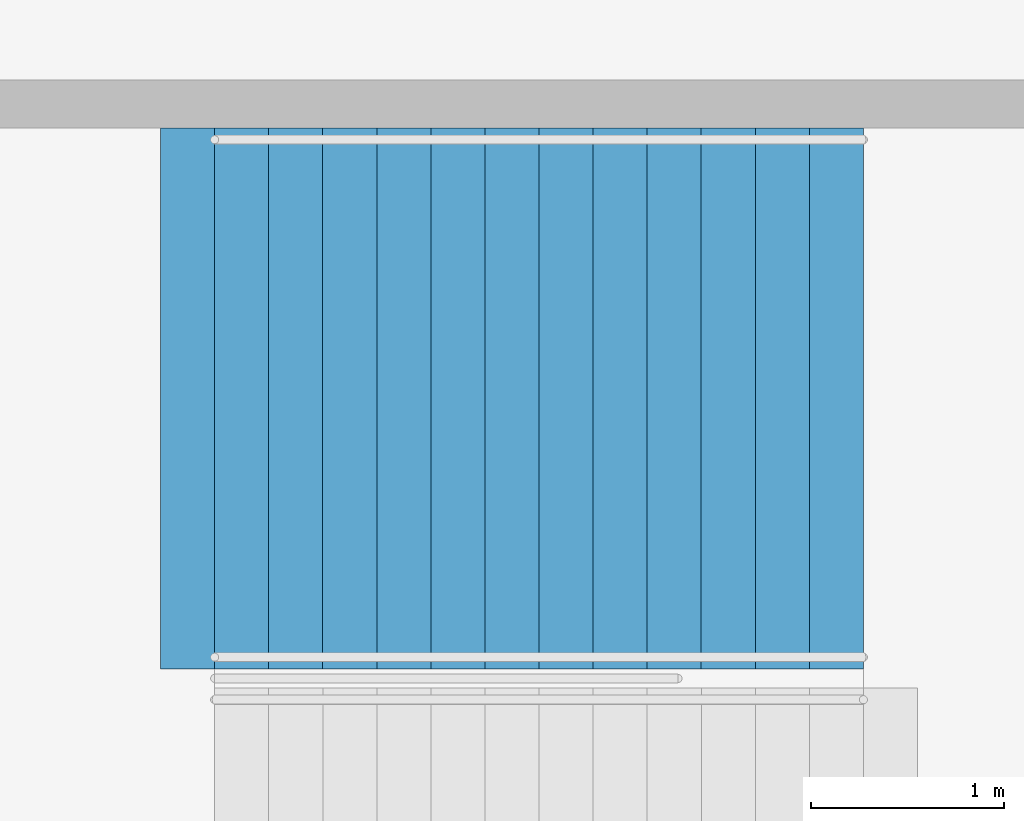
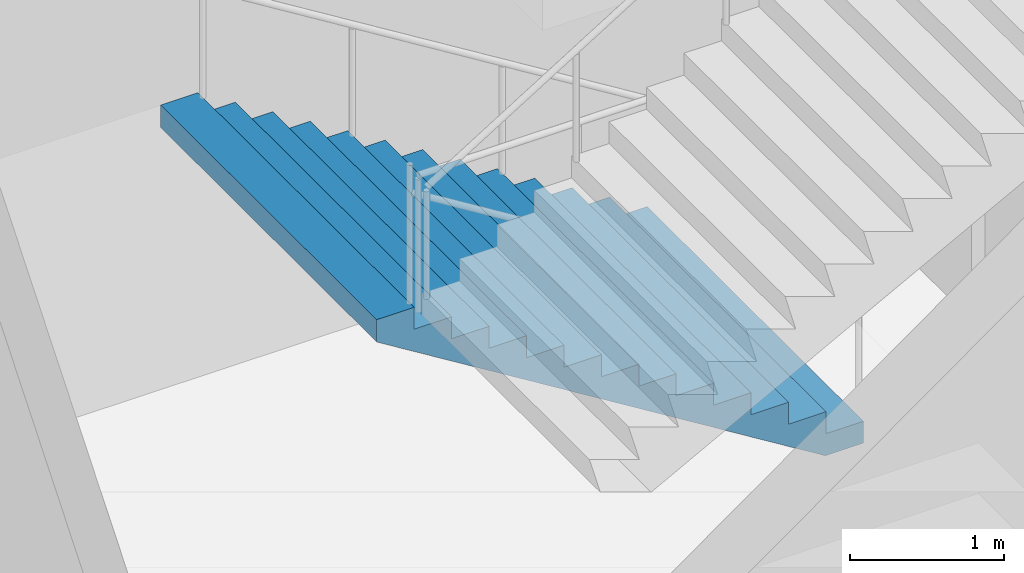
# One storey, part 82 of 175: 1 stair flight, 1 element without a shape of its own.
"""IFC4 building model written with IfcOpenShell, lengths in metres."""

import ifcopenshell
import ifcopenshell.guid

model = None  # the IFC model being written
_history = None  # IfcOwnerHistory: only IFC2X3 demands one
_inside = {}  # id of a spatial element -> (the spatial element, [elements in it])
_under = {}  # id of a project, library or spatial element -> (it, [spatial elements below it])
_declared = {}  # id of a project -> (the project, [libraries it declares])
_typed = {}  # id of a type object -> (the type object, [elements of that type])
_made_of = {}  # id of a material, layer set ... -> (it, [elements and type objects made of it])


def new_model(schema):
    """Start an empty IFC model of exactly this schema.

    Asked for "IFC4X3", IfcOpenShell would pick the latest addendum, in which some entities
    have other attributes; the version numbers below select the first issue.
    IFC2X3 requires an IfcOwnerHistory on every rooted entity: one is made here for all.
    """
    global model, _history
    if schema == "IFC4X3":
        model = ifcopenshell.file(schema_version=(4, 3, 0, 0))
    else:
        model = ifcopenshell.file(schema=schema)
    _inside.clear()
    _under.clear()
    _declared.clear()
    _typed.clear()
    _made_of.clear()
    _history = None
    if model.schema == "IFC2X3":
        org = make("IfcOrganization", Name="unknown")
        user = make(
            "IfcPersonAndOrganization",
            ThePerson=make("IfcPerson", FamilyName="unknown"),
            TheOrganization=org,
        )
        app = make(
            "IfcApplication",
            ApplicationDeveloper=org,
            Version="unknown",
            ApplicationFullName="unknown",
            ApplicationIdentifier="unknown",
        )
        _history = make(
            "IfcOwnerHistory",
            OwningUser=user,
            OwningApplication=app,
            ChangeAction="ADDED",
            CreationDate=0,
        )
    return model


def make(cls, **values):
    """One entity of the class cls with the attributes given. An attribute that is None is left unset."""
    return model.create_entity(
        cls, **{name: value for name, value in values.items() if value is not None}
    )


def rooted(cls, **values):
    """An entity with a GlobalId (a new one), such as an element, a storey or a relation."""
    return make(cls, GlobalId=ifcopenshell.guid.new(), OwnerHistory=_history, **values)


def si_unit(unit_type, name, prefix=None):
    """IfcSIUnit, for example si_unit("LENGTHUNIT", "METRE", prefix="MILLI")."""
    return make("IfcSIUnit", UnitType=unit_type, Prefix=prefix, Name=name)


def assignment(units):
    """IfcUnitAssignment: the units of a project."""
    return None if units is None else make("IfcUnitAssignment", Units=units)


def point(xyz):
    """IfcCartesianPoint."""
    return None if xyz is None else make("IfcCartesianPoint", Coordinates=xyz)


def direction(xyz):
    """IfcDirection."""
    return None if xyz is None else make("IfcDirection", DirectionRatios=xyz)


def frame(location, z_axis=None, x_axis=None):
    """IfcAxis2Placement3D, a coordinate frame: its origin and axes. An axis left out is left unset."""
    return make(
        "IfcAxis2Placement3D",
        Location=point(location),
        Axis=direction(z_axis),
        RefDirection=direction(x_axis),
    )


def origin():
    """The frame at (0, 0, 0) with its axes left unset."""
    return frame((0.0, 0.0, 0.0))


def place(relative_to, where):
    """IfcLocalPlacement: puts the frame where relative to a parent placement (None: the world)."""
    return make(
        "IfcLocalPlacement", PlacementRelTo=relative_to, RelativePlacement=where
    )


def context(
    kind, dimensions, precision=None, world=None, true_north=None, identifier=None
):
    """IfcGeometricRepresentationContext, for example the 3D "Model" context."""
    return make(
        "IfcGeometricRepresentationContext",
        ContextIdentifier=identifier,
        ContextType=kind,
        CoordinateSpaceDimension=dimensions,
        Precision=precision,
        WorldCoordinateSystem=world,
        TrueNorth=true_north,
    )


def subcontext(parent, identifier, kind, view, scale=None):
    """IfcGeometricRepresentationSubContext, for example "Body" below "Model"."""
    return make(
        "IfcGeometricRepresentationSubContext",
        ContextIdentifier=identifier,
        ContextType=kind,
        ParentContext=parent,
        TargetScale=scale,
        TargetView=view,
    )


def project(units=None, contexts=None):
    """IfcProject with its units and contexts."""
    return rooted(
        "IfcProject",
        Name="project",
        RepresentationContexts=contexts,
        UnitsInContext=assignment(units),
    )


def spatial(cls, under=None, at=None, **own):
    """A site, building, storey or space (cls), placed at a placement, below another one or the project."""
    s = rooted(cls, ObjectPlacement=at, **own)
    if under is not None:
        _under.setdefault(under.id(), (under, []))[1].append(s)
    return s


def faces_of(points, faces, orient=None, outer=None):
    """IfcFace entities. A face is a list of loops; a loop is a list of indices into points, from 0.

    orient and outer hold one flag for each loop. By default every Orientation is true, the
    first loop of a face is its IfcFaceOuterBound and the others are IfcFaceBound.
    """
    made = []
    for i, loops in enumerate(faces):
        bounds = []
        for j, loop in enumerate(loops):
            is_outer = j == 0 if outer is None else outer[i][j]
            bounds.append(
                make(
                    "IfcFaceOuterBound" if is_outer else "IfcFaceBound",
                    Bound=make("IfcPolyLoop", Polygon=[points[k] for k in loop]),
                    Orientation=True if orient is None else orient[i][j],
                )
            )
        made.append(make("IfcFace", Bounds=bounds))
    return made


def faceted_brep(points, faces, orient=None, outer=None, voids=None):
    """IfcFacetedBrep: a solid bounded by flat faces; with voids (closed shells), ...WithVoids."""
    shared = [point(p) for p in points]
    hull = make("IfcClosedShell", CfsFaces=faces_of(shared, faces, orient, outer))
    if voids is None:
        return make("IfcFacetedBrep", Outer=hull)
    return make(
        "IfcFacetedBrepWithVoids",
        Outer=hull,
        Voids=[
            make(cls, CfsFaces=faces_of(shared, fs, o, b)) for cls, fs, o, b in voids
        ],
    )


def shape(context_of_items, identifier, shape_type, items):
    """IfcShapeRepresentation: the items that make up one representation, for example the "Body"."""
    return make(
        "IfcShapeRepresentation",
        ContextOfItems=context_of_items,
        RepresentationIdentifier=identifier,
        RepresentationType=shape_type,
        Items=items,
    )


def material(Name=None, Category=None):
    """IfcMaterial."""
    return make("IfcMaterial", Name=Name, Category=Category)


def made_of(thing, what):
    """Note that an element or type object is made of a material, layer set ...; save() writes the relation."""
    if what is not None:
        _made_of.setdefault(what.id(), (what, []))[1].append(thing)
    return thing


def type_object(cls, material=None, **own):
    """A type object (cls), such as IfcWallType, which elements share."""
    return made_of(rooted(cls, **own), material)


def element(
    cls,
    number,
    at=None,
    inside=None,
    cuts=None,
    type_object=None,
    material=None,
    context=None,
    identifier="Body",
    shape_type=None,
    held_by="IfcProductDefinitionShape",
    body=None,
    shapes=None,
    **own,
):
    """One element of the class cls, such as IfcWall. Its Tag is "e" and its number.

    at: its placement. inside: the storey or other place that contains it. cuts: it is an
    opening in that element (IfcRelVoidsElement). A single representation is given by context,
    identifier, shape_type and body (its items); several are given by shapes. held_by: the class
    of the entity that holds the representations. save() writes the other relations.
    """
    e = rooted(cls, Tag="e%d" % number, ObjectPlacement=at, **own)
    if body is not None:
        shapes = [shape(context, identifier, shape_type, body)]
    if shapes is not None:
        e.Representation = make(held_by, Representations=shapes)
    if inside is not None:
        _inside.setdefault(inside.id(), (inside, []))[1].append(e)
    if cuts is not None:
        rooted(
            "IfcRelVoidsElement", RelatingBuildingElement=cuts, RelatedOpeningElement=e
        )
    if type_object is not None:
        _typed.setdefault(type_object.id(), (type_object, []))[1].append(e)
    return made_of(e, material)


def aggregate(whole, parts):
    """IfcRelAggregates: a whole, such as a stair, and the parts it consists of."""
    return rooted("IfcRelAggregates", RelatingObject=whole, RelatedObjects=parts)


def save(model, path):
    """Write the relations noted so far, then the file.

    IfcRelAggregates (storeys below a building ...), IfcRelContainedInSpatialStructure (elements
    in a storey), IfcRelDefinesByType, IfcRelAssociatesMaterial and IfcRelDeclares: one each for
    every whole, place, type object, material and project.
    """
    for whole, parts in _under.values():
        aggregate(whole, parts)
    for where, things in _inside.values():
        rooted(
            "IfcRelContainedInSpatialStructure",
            RelatedElements=things,
            RelatingStructure=where,
        )
    for kind, things in _typed.values():
        rooted("IfcRelDefinesByType", RelatedObjects=things, RelatingType=kind)
    for what, things in _made_of.values():
        rooted("IfcRelAssociatesMaterial", RelatedObjects=things, RelatingMaterial=what)
    for by, libraries in _declared.values():
        rooted("IfcRelDeclares", RelatingContext=by, RelatedDefinitions=libraries)
    model.write(path)


model = new_model("IFC4")

# Units and contexts
model_context = context("Model", 3, precision=1e-05, world=origin(), true_north=direction((0.0, 1.0)))
body_context = subcontext(model_context, "Body", "Model", "MODEL_VIEW")
ifc_project = project(units=[si_unit("LENGTHUNIT", "METRE"), si_unit("AREAUNIT", "SQUARE_METRE"), si_unit("VOLUMEUNIT", "CUBIC_METRE"), si_unit("PLANEANGLEUNIT", "RADIAN"), si_unit("MASSUNIT", "GRAM", prefix="KILO")], contexts=[model_context])

# Site, building, storey
site_placement = place(None, origin())
site = spatial("IfcSite", under=ifc_project, at=site_placement, CompositionType="ELEMENT")
building_placement = place(site_placement, origin())
building = spatial("IfcBuilding", under=site, at=building_placement, Name="Ogive Plaza Stadium", CompositionType="ELEMENT")
storey_placement = place(building_placement, origin())
storey = spatial("IfcBuildingStorey", under=building, at=storey_placement, Name="L00", CompositionType="ELEMENT", Elevation=0.0)

# Stair, stair flight
ifc_material_1 = material(Name="Concrete C40/50", Category="concrete")
stair_type = type_object("IfcStairType", Name="Exit stair", PredefinedType="STRAIGHT_RUN_STAIR", material=ifc_material_1)
stair_placement = place(storey_placement, origin())
stair = element("IfcStair", 1, at=stair_placement, inside=storey, type_object=stair_type, Name="Exit stair ST24A L00 to L01", PredefinedType="STRAIGHT_RUN_STAIR")
ifc_material_2 = material(Name="Concrete C40/50", Category="concrete")
stair_flight_type = type_object("IfcStairFlightType", Name="Exit stair flight", PredefinedType="STRAIGHT", material=ifc_material_2)
stair_flight_placement = place(storey_placement, frame((-76.35009765625, -3.074951171875, 0.0), z_axis=(0.0, 0.0, 1.0), x_axis=(-1.0, 0.0, 0.0)))
stair_flight = element("IfcStairFlight", 2, at=stair_flight_placement, type_object=stair_flight_type, Name="ST24A flight 1", NumberOfRisers=13, NumberOfTreads=12, PredefinedType="STRAIGHT", RiserHeight=0.173076923, TreadLength=0.28, context=body_context, shape_type="Brep", body=[
    faceted_brep([(0.28515625, -1.39990234375, 0.0), (3.639892578125, -1.39990234375, 2.07373046875), (3.639892578125, -1.39990234375, 2.25), (3.360107421875, -1.39990234375, 2.25), (3.360107421875, -1.39990234375, 2.076904296875), (3.080078125, -1.39990234375, 2.076904296875), (3.080078125, -1.39990234375, 1.90380859375), (2.800048828125, -1.39990234375, 1.90380859375), (2.800048828125, -1.39990234375, 1.730712890625), (2.52001953125, -1.39990234375, 1.730712890625), (2.52001953125, -1.39990234375, 1.5576171875), (2.239990234375, -1.39990234375, 1.5576171875), (2.239990234375, -1.39990234375, 1.384521484375), (1.9599609375, -1.39990234375, 1.384521484375), (1.9599609375, -1.39990234375, 1.21142578125), (1.679931640625, -1.39990234375, 1.21142578125), (1.679931640625, -1.39990234375, 1.03857421875), (1.39990234375, -1.39990234375, 1.03857421875), (1.39990234375, -1.39990234375, 0.865478515625), (1.1201171875, -1.39990234375, 0.865478515625), (1.1201171875, -1.39990234375, 0.6923828125), (0.840087890625, -1.39990234375, 0.6923828125), (0.840087890625, -1.39990234375, 0.519287109375), (0.56005859375, -1.39990234375, 0.519287109375), (0.56005859375, -1.39990234375, 0.34619140625), (0.280029296875, -1.39990234375, 0.34619140625), (0.280029296875, -1.39990234375, 0.173095703125), (0.0, -1.39990234375, 0.173095703125), (0.0, -1.39990234375, 0.0), (0.0, 1.39990234375, 0.0), (0.0, 1.39990234375, 0.173095703125), (0.280029296875, 1.39990234375, 0.173095703125), (0.280029296875, 1.39990234375, 0.34619140625), (0.56005859375, 1.39990234375, 0.34619140625), (0.56005859375, 1.39990234375, 0.519287109375), (0.840087890625, 1.39990234375, 0.519287109375), (0.840087890625, 1.39990234375, 0.6923828125), (1.1201171875, 1.39990234375, 0.6923828125), (1.1201171875, 1.39990234375, 0.865478515625), (1.39990234375, 1.39990234375, 0.865478515625), (1.39990234375, 1.39990234375, 1.03857421875), (1.679931640625, 1.39990234375, 1.03857421875), (1.679931640625, 1.39990234375, 1.21142578125), (1.9599609375, 1.39990234375, 1.21142578125), (1.9599609375, 1.39990234375, 1.384521484375), (2.239990234375, 1.39990234375, 1.384521484375), (2.239990234375, 1.39990234375, 1.5576171875), (2.52001953125, 1.39990234375, 1.5576171875), (2.52001953125, 1.39990234375, 1.730712890625), (2.800048828125, 1.39990234375, 1.730712890625), (2.800048828125, 1.39990234375, 1.90380859375), (3.080078125, 1.39990234375, 1.90380859375), (3.080078125, 1.39990234375, 2.076904296875), (3.360107421875, 1.39990234375, 2.076904296875), (3.360107421875, 1.39990234375, 2.25), (3.639892578125, 1.39990234375, 2.25), (3.639892578125, 1.39990234375, 2.07373046875), (0.28515625, 1.39990234375, 0.0), (0.28515625, -1.0888671875, 0.0), (3.639892578125, -1.0888671875, 2.07373046875), (0.28515625, -0.77783203125, 0.0), (3.639892578125, -0.77783203125, 2.07373046875), (0.28515625, -0.466796875, 0.0), (3.639892578125, -0.466796875, 2.07373046875), (0.28515625, -0.155517578125, 0.0), (3.639892578125, -0.155517578125, 2.07373046875), (0.28515625, 0.155517578125, 0.0), (3.639892578125, 0.155517578125, 2.07373046875), (0.28515625, 0.466796875, 0.0), (3.639892578125, 0.466796875, 2.07373046875), (0.28515625, 0.77783203125, 0.0), (3.639892578125, 0.77783203125, 2.07373046875), (0.28515625, 1.0888671875, 0.0), (3.639892578125, 1.0888671875, 2.07373046875), (3.639892578125, -1.0888671875, 2.25), (3.639892578125, -0.77783203125, 2.25), (3.639892578125, -0.466796875, 2.25), (3.639892578125, -0.155517578125, 2.25), (3.639892578125, 0.155517578125, 2.25), (3.639892578125, 0.466796875, 2.25), (3.639892578125, 0.77783203125, 2.25), (3.639892578125, 1.0888671875, 2.25), (3.360107421875, -1.0888671875, 2.25), (3.360107421875, -0.77783203125, 2.25), (3.360107421875, -0.466796875, 2.25), (3.360107421875, -0.155517578125, 2.25), (3.360107421875, 0.155517578125, 2.25), (3.360107421875, 0.466796875, 2.25), (3.360107421875, 0.77783203125, 2.25), (3.360107421875, 1.0888671875, 2.25), (3.360107421875, -1.0888671875, 2.076904296875), (3.360107421875, -0.77783203125, 2.076904296875), (3.360107421875, -0.466796875, 2.076904296875), (3.360107421875, -0.155517578125, 2.076904296875), (3.360107421875, 0.155517578125, 2.076904296875), (3.360107421875, 0.466796875, 2.076904296875), (3.360107421875, 0.77783203125, 2.076904296875), (3.360107421875, 1.0888671875, 2.076904296875), (3.080078125, -1.0888671875, 2.076904296875), (3.080078125, -0.77783203125, 2.076904296875), (3.080078125, -0.466796875, 2.076904296875), (3.080078125, -0.155517578125, 2.076904296875), (3.080078125, 0.155517578125, 2.076904296875), (3.080078125, 0.466796875, 2.076904296875), (3.080078125, 0.77783203125, 2.076904296875), (3.080078125, 1.0888671875, 2.076904296875), (3.080078125, -1.0888671875, 1.90380859375), (3.080078125, -0.77783203125, 1.90380859375), (3.080078125, -0.466796875, 1.90380859375), (3.080078125, -0.155517578125, 1.90380859375), (3.080078125, 0.155517578125, 1.90380859375), (3.080078125, 0.466796875, 1.90380859375), (3.080078125, 0.77783203125, 1.90380859375), (3.080078125, 1.0888671875, 1.90380859375), (2.800048828125, -1.0888671875, 1.90380859375), (2.800048828125, -0.77783203125, 1.90380859375), (2.800048828125, -0.466796875, 1.90380859375), (2.800048828125, -0.155517578125, 1.90380859375), (2.800048828125, 0.155517578125, 1.90380859375), (2.800048828125, 0.466796875, 1.90380859375), (2.800048828125, 0.77783203125, 1.90380859375), (2.800048828125, 1.0888671875, 1.90380859375), (2.800048828125, -1.0888671875, 1.730712890625), (2.800048828125, -0.77783203125, 1.730712890625), (2.800048828125, -0.466796875, 1.730712890625), (2.800048828125, -0.155517578125, 1.730712890625), (2.800048828125, 0.155517578125, 1.730712890625), (2.800048828125, 0.466796875, 1.730712890625), (2.800048828125, 0.77783203125, 1.730712890625), (2.800048828125, 1.0888671875, 1.730712890625), (2.52001953125, -1.0888671875, 1.730712890625), (2.52001953125, -0.77783203125, 1.730712890625), (2.52001953125, -0.466796875, 1.730712890625), (2.52001953125, -0.155517578125, 1.730712890625), (2.52001953125, 0.155517578125, 1.730712890625), (2.52001953125, 0.466796875, 1.730712890625), (2.52001953125, 0.77783203125, 1.730712890625), (2.52001953125, 1.0888671875, 1.730712890625), (2.52001953125, -1.0888671875, 1.5576171875), (2.52001953125, -0.77783203125, 1.5576171875), (2.52001953125, -0.466796875, 1.5576171875), (2.52001953125, -0.155517578125, 1.5576171875), (2.52001953125, 0.155517578125, 1.5576171875), (2.52001953125, 0.466796875, 1.5576171875), (2.52001953125, 0.77783203125, 1.5576171875), (2.52001953125, 1.0888671875, 1.5576171875), (2.239990234375, -1.0888671875, 1.5576171875), (2.239990234375, -0.77783203125, 1.5576171875), (2.239990234375, -0.466796875, 1.5576171875), (2.239990234375, -0.155517578125, 1.5576171875), (2.239990234375, 0.155517578125, 1.5576171875), (2.239990234375, 0.466796875, 1.5576171875), (2.239990234375, 0.77783203125, 1.5576171875), (2.239990234375, 1.0888671875, 1.5576171875), (2.239990234375, -1.0888671875, 1.384521484375), (2.239990234375, -0.77783203125, 1.384521484375), (2.239990234375, -0.466796875, 1.384521484375), (2.239990234375, -0.155517578125, 1.384521484375), (2.239990234375, 0.155517578125, 1.384521484375), (2.239990234375, 0.466796875, 1.384521484375), (2.239990234375, 0.77783203125, 1.384521484375), (2.239990234375, 1.0888671875, 1.384521484375), (1.9599609375, -1.0888671875, 1.384521484375), (1.9599609375, -0.77783203125, 1.384521484375), (1.9599609375, -0.466796875, 1.384521484375), (1.9599609375, -0.155517578125, 1.384521484375), (1.9599609375, 0.155517578125, 1.384521484375), (1.9599609375, 0.466796875, 1.384521484375), (1.9599609375, 0.77783203125, 1.384521484375), (1.9599609375, 1.0888671875, 1.384521484375), (1.9599609375, -1.0888671875, 1.21142578125), (1.9599609375, -0.77783203125, 1.21142578125), (1.9599609375, -0.466796875, 1.21142578125), (1.9599609375, -0.155517578125, 1.21142578125), (1.9599609375, 0.155517578125, 1.21142578125), (1.9599609375, 0.466796875, 1.21142578125), (1.9599609375, 0.77783203125, 1.21142578125), (1.9599609375, 1.0888671875, 1.21142578125), (1.679931640625, -1.0888671875, 1.21142578125), (1.679931640625, -0.77783203125, 1.21142578125), (1.679931640625, -0.466796875, 1.21142578125), (1.679931640625, -0.155517578125, 1.21142578125), (1.679931640625, 0.155517578125, 1.21142578125), (1.679931640625, 0.466796875, 1.21142578125), (1.679931640625, 0.77783203125, 1.21142578125), (1.679931640625, 1.0888671875, 1.21142578125), (1.679931640625, -1.0888671875, 1.03857421875), (1.679931640625, -0.77783203125, 1.03857421875), (1.679931640625, -0.466796875, 1.03857421875), (1.679931640625, -0.155517578125, 1.03857421875), (1.679931640625, 0.155517578125, 1.03857421875), (1.679931640625, 0.466796875, 1.03857421875), (1.679931640625, 0.77783203125, 1.03857421875), (1.679931640625, 1.0888671875, 1.03857421875), (1.39990234375, -1.0888671875, 1.03857421875), (1.39990234375, -0.77783203125, 1.03857421875), (1.39990234375, -0.466796875, 1.03857421875), (1.39990234375, -0.155517578125, 1.03857421875), (1.39990234375, 0.155517578125, 1.03857421875), (1.39990234375, 0.466796875, 1.03857421875), (1.39990234375, 0.77783203125, 1.03857421875), (1.39990234375, 1.0888671875, 1.03857421875), (1.39990234375, -1.0888671875, 0.865478515625), (1.39990234375, -0.77783203125, 0.865478515625), (1.39990234375, -0.466796875, 0.865478515625), (1.39990234375, -0.155517578125, 0.865478515625), (1.39990234375, 0.155517578125, 0.865478515625), (1.39990234375, 0.466796875, 0.865478515625), (1.39990234375, 0.77783203125, 0.865478515625), (1.39990234375, 1.0888671875, 0.865478515625), (1.1201171875, -1.0888671875, 0.865478515625), (1.1201171875, -0.77783203125, 0.865478515625), (1.1201171875, -0.466796875, 0.865478515625), (1.1201171875, -0.155517578125, 0.865478515625), (1.1201171875, 0.155517578125, 0.865478515625), (1.1201171875, 0.466796875, 0.865478515625), (1.1201171875, 0.77783203125, 0.865478515625), (1.1201171875, 1.0888671875, 0.865478515625), (1.1201171875, -1.0888671875, 0.6923828125), (1.1201171875, -0.77783203125, 0.6923828125), (1.1201171875, -0.466796875, 0.6923828125), (1.1201171875, -0.155517578125, 0.6923828125), (1.1201171875, 0.155517578125, 0.6923828125), (1.1201171875, 0.466796875, 0.6923828125), (1.1201171875, 0.77783203125, 0.6923828125), (1.1201171875, 1.0888671875, 0.6923828125), (0.840087890625, -1.0888671875, 0.6923828125), (0.840087890625, -0.77783203125, 0.6923828125), (0.840087890625, -0.466796875, 0.6923828125), (0.840087890625, -0.155517578125, 0.6923828125), (0.840087890625, 0.155517578125, 0.6923828125), (0.840087890625, 0.466796875, 0.6923828125), (0.840087890625, 0.77783203125, 0.6923828125), (0.840087890625, 1.0888671875, 0.6923828125), (0.840087890625, -1.0888671875, 0.519287109375), (0.840087890625, -0.77783203125, 0.519287109375), (0.840087890625, -0.466796875, 0.519287109375), (0.840087890625, -0.155517578125, 0.519287109375), (0.840087890625, 0.155517578125, 0.519287109375), (0.840087890625, 0.466796875, 0.519287109375), (0.840087890625, 0.77783203125, 0.519287109375), (0.840087890625, 1.0888671875, 0.519287109375), (0.56005859375, -1.0888671875, 0.519287109375), (0.56005859375, -0.77783203125, 0.519287109375), (0.56005859375, -0.466796875, 0.519287109375), (0.56005859375, -0.155517578125, 0.519287109375), (0.56005859375, 0.155517578125, 0.519287109375), (0.56005859375, 0.466796875, 0.519287109375), (0.56005859375, 0.77783203125, 0.519287109375), (0.56005859375, 1.0888671875, 0.519287109375), (0.56005859375, -1.0888671875, 0.34619140625), (0.56005859375, -0.77783203125, 0.34619140625), (0.56005859375, -0.466796875, 0.34619140625), (0.56005859375, -0.155517578125, 0.34619140625), (0.56005859375, 0.155517578125, 0.34619140625), (0.56005859375, 0.466796875, 0.34619140625), (0.56005859375, 0.77783203125, 0.34619140625), (0.56005859375, 1.0888671875, 0.34619140625), (0.280029296875, -1.0888671875, 0.34619140625), (0.280029296875, -0.77783203125, 0.34619140625), (0.280029296875, -0.466796875, 0.34619140625), (0.280029296875, -0.155517578125, 0.34619140625), (0.280029296875, 0.155517578125, 0.34619140625), (0.280029296875, 0.466796875, 0.34619140625), (0.280029296875, 0.77783203125, 0.34619140625), (0.280029296875, 1.0888671875, 0.34619140625), (0.280029296875, -1.0888671875, 0.173095703125), (0.280029296875, -0.77783203125, 0.173095703125), (0.280029296875, -0.466796875, 0.173095703125), (0.280029296875, -0.155517578125, 0.173095703125), (0.280029296875, 0.155517578125, 0.173095703125), (0.280029296875, 0.466796875, 0.173095703125), (0.280029296875, 0.77783203125, 0.173095703125), (0.280029296875, 1.0888671875, 0.173095703125), (0.0, -1.0888671875, 0.173095703125), (0.0, -0.77783203125, 0.173095703125), (0.0, -0.466796875, 0.173095703125), (0.0, -0.155517578125, 0.173095703125), (0.0, 0.155517578125, 0.173095703125), (0.0, 0.466796875, 0.173095703125), (0.0, 0.77783203125, 0.173095703125), (0.0, 1.0888671875, 0.173095703125), (0.0, -1.0888671875, 0.0), (0.0, -0.77783203125, 0.0), (0.0, -0.466796875, 0.0), (0.0, -0.155517578125, 0.0), (0.0, 0.155517578125, 0.0), (0.0, 0.466796875, 0.0), (0.0, 0.77783203125, 0.0), (0.0, 1.0888671875, 0.0)], [[[0, 1, 2, 3, 4, 5, 6, 7, 8, 9, 10, 11, 12, 13, 14, 15, 16, 17, 18, 19, 20, 21, 22, 23, 24, 25, 26, 27, 28]], [[29, 30, 31, 32, 33, 34, 35, 36, 37, 38, 39, 40, 41, 42, 43, 44, 45, 46, 47, 48, 49, 50, 51, 52, 53, 54, 55, 56, 57]], [[0, 58, 59, 1]], [[58, 60, 61, 59]], [[60, 62, 63, 61]], [[62, 64, 65, 63]], [[64, 66, 67, 65]], [[66, 68, 69, 67]], [[68, 70, 71, 69]], [[70, 72, 73, 71]], [[72, 57, 56, 73]], [[1, 59, 74, 2]], [[59, 61, 75, 74]], [[61, 63, 76, 75]], [[63, 65, 77, 76]], [[65, 67, 78, 77]], [[67, 69, 79, 78]], [[69, 71, 80, 79]], [[71, 73, 81, 80]], [[73, 56, 55, 81]], [[2, 74, 82, 3]], [[74, 75, 83, 82]], [[75, 76, 84, 83]], [[76, 77, 85, 84]], [[77, 78, 86, 85]], [[78, 79, 87, 86]], [[79, 80, 88, 87]], [[80, 81, 89, 88]], [[81, 55, 54, 89]], [[3, 82, 90, 4]], [[82, 83, 91, 90]], [[83, 84, 92, 91]], [[84, 85, 93, 92]], [[85, 86, 94, 93]], [[86, 87, 95, 94]], [[87, 88, 96, 95]], [[88, 89, 97, 96]], [[89, 54, 53, 97]], [[4, 90, 98, 5]], [[90, 91, 99, 98]], [[91, 92, 100, 99]], [[92, 93, 101, 100]], [[93, 94, 102, 101]], [[94, 95, 103, 102]], [[95, 96, 104, 103]], [[96, 97, 105, 104]], [[97, 53, 52, 105]], [[5, 98, 106, 6]], [[98, 99, 107, 106]], [[99, 100, 108, 107]], [[100, 101, 109, 108]], [[101, 102, 110, 109]], [[102, 103, 111, 110]], [[103, 104, 112, 111]], [[104, 105, 113, 112]], [[105, 52, 51, 113]], [[6, 106, 114, 7]], [[106, 107, 115, 114]], [[107, 108, 116, 115]], [[108, 109, 117, 116]], [[109, 110, 118, 117]], [[110, 111, 119, 118]], [[111, 112, 120, 119]], [[112, 113, 121, 120]], [[113, 51, 50, 121]], [[7, 114, 122, 8]], [[114, 115, 123, 122]], [[115, 116, 124, 123]], [[116, 117, 125, 124]], [[117, 118, 126, 125]], [[118, 119, 127, 126]], [[119, 120, 128, 127]], [[120, 121, 129, 128]], [[121, 50, 49, 129]], [[8, 122, 130, 9]], [[122, 123, 131, 130]], [[123, 124, 132, 131]], [[124, 125, 133, 132]], [[125, 126, 134, 133]], [[126, 127, 135, 134]], [[127, 128, 136, 135]], [[128, 129, 137, 136]], [[129, 49, 48, 137]], [[9, 130, 138, 10]], [[130, 131, 139, 138]], [[131, 132, 140, 139]], [[132, 133, 141, 140]], [[133, 134, 142, 141]], [[134, 135, 143, 142]], [[135, 136, 144, 143]], [[136, 137, 145, 144]], [[137, 48, 47, 145]], [[10, 138, 146, 11]], [[138, 139, 147, 146]], [[139, 140, 148, 147]], [[140, 141, 149, 148]], [[141, 142, 150, 149]], [[142, 143, 151, 150]], [[143, 144, 152, 151]], [[144, 145, 153, 152]], [[145, 47, 46, 153]], [[11, 146, 154, 12]], [[146, 147, 155, 154]], [[147, 148, 156, 155]], [[148, 149, 157, 156]], [[149, 150, 158, 157]], [[150, 151, 159, 158]], [[151, 152, 160, 159]], [[152, 153, 161, 160]], [[153, 46, 45, 161]], [[12, 154, 162, 13]], [[154, 155, 163, 162]], [[155, 156, 164, 163]], [[156, 157, 165, 164]], [[157, 158, 166, 165]], [[158, 159, 167, 166]], [[159, 160, 168, 167]], [[160, 161, 169, 168]], [[161, 45, 44, 169]], [[13, 162, 170, 14]], [[162, 163, 171, 170]], [[163, 164, 172, 171]], [[164, 165, 173, 172]], [[165, 166, 174, 173]], [[166, 167, 175, 174]], [[167, 168, 176, 175]], [[168, 169, 177, 176]], [[169, 44, 43, 177]], [[14, 170, 178, 15]], [[170, 171, 179, 178]], [[171, 172, 180, 179]], [[172, 173, 181, 180]], [[173, 174, 182, 181]], [[174, 175, 183, 182]], [[175, 176, 184, 183]], [[176, 177, 185, 184]], [[177, 43, 42, 185]], [[15, 178, 186, 16]], [[178, 179, 187, 186]], [[179, 180, 188, 187]], [[180, 181, 189, 188]], [[181, 182, 190, 189]], [[182, 183, 191, 190]], [[183, 184, 192, 191]], [[184, 185, 193, 192]], [[185, 42, 41, 193]], [[16, 186, 194, 17]], [[186, 187, 195, 194]], [[187, 188, 196, 195]], [[188, 189, 197, 196]], [[189, 190, 198, 197]], [[190, 191, 199, 198]], [[191, 192, 200, 199]], [[192, 193, 201, 200]], [[193, 41, 40, 201]], [[17, 194, 202, 18]], [[194, 195, 203, 202]], [[195, 196, 204, 203]], [[196, 197, 205, 204]], [[197, 198, 206, 205]], [[198, 199, 207, 206]], [[199, 200, 208, 207]], [[200, 201, 209, 208]], [[201, 40, 39, 209]], [[18, 202, 210, 19]], [[202, 203, 211, 210]], [[203, 204, 212, 211]], [[204, 205, 213, 212]], [[205, 206, 214, 213]], [[206, 207, 215, 214]], [[207, 208, 216, 215]], [[208, 209, 217, 216]], [[209, 39, 38, 217]], [[19, 210, 218, 20]], [[210, 211, 219, 218]], [[211, 212, 220, 219]], [[212, 213, 221, 220]], [[213, 214, 222, 221]], [[214, 215, 223, 222]], [[215, 216, 224, 223]], [[216, 217, 225, 224]], [[217, 38, 37, 225]], [[20, 218, 226, 21]], [[218, 219, 227, 226]], [[219, 220, 228, 227]], [[220, 221, 229, 228]], [[221, 222, 230, 229]], [[222, 223, 231, 230]], [[223, 224, 232, 231]], [[224, 225, 233, 232]], [[225, 37, 36, 233]], [[21, 226, 234, 22]], [[226, 227, 235, 234]], [[227, 228, 236, 235]], [[228, 229, 237, 236]], [[229, 230, 238, 237]], [[230, 231, 239, 238]], [[231, 232, 240, 239]], [[232, 233, 241, 240]], [[233, 36, 35, 241]], [[22, 234, 242, 23]], [[234, 235, 243, 242]], [[235, 236, 244, 243]], [[236, 237, 245, 244]], [[237, 238, 246, 245]], [[238, 239, 247, 246]], [[239, 240, 248, 247]], [[240, 241, 249, 248]], [[241, 35, 34, 249]], [[23, 242, 250, 24]], [[242, 243, 251, 250]], [[243, 244, 252, 251]], [[244, 245, 253, 252]], [[245, 246, 254, 253]], [[246, 247, 255, 254]], [[247, 248, 256, 255]], [[248, 249, 257, 256]], [[249, 34, 33, 257]], [[24, 250, 258, 25]], [[250, 251, 259, 258]], [[251, 252, 260, 259]], [[252, 253, 261, 260]], [[253, 254, 262, 261]], [[254, 255, 263, 262]], [[255, 256, 264, 263]], [[256, 257, 265, 264]], [[257, 33, 32, 265]], [[25, 258, 266, 26]], [[258, 259, 267, 266]], [[259, 260, 268, 267]], [[260, 261, 269, 268]], [[261, 262, 270, 269]], [[262, 263, 271, 270]], [[263, 264, 272, 271]], [[264, 265, 273, 272]], [[265, 32, 31, 273]], [[26, 266, 274, 27]], [[266, 267, 275, 274]], [[267, 268, 276, 275]], [[268, 269, 277, 276]], [[269, 270, 278, 277]], [[270, 271, 279, 278]], [[271, 272, 280, 279]], [[272, 273, 281, 280]], [[273, 31, 30, 281]], [[27, 274, 282, 28]], [[274, 275, 283, 282]], [[275, 276, 284, 283]], [[276, 277, 285, 284]], [[277, 278, 286, 285]], [[278, 279, 287, 286]], [[279, 280, 288, 287]], [[280, 281, 289, 288]], [[281, 30, 29, 289]], [[28, 282, 58, 0]], [[282, 283, 60, 58]], [[283, 284, 62, 60]], [[284, 285, 64, 62]], [[285, 286, 66, 64]], [[286, 287, 68, 66]], [[287, 288, 70, 68]], [[288, 289, 72, 70]], [[289, 29, 57, 72]]]),
])
aggregate(stair, [stair_flight])

save(model, "model.ifc")
